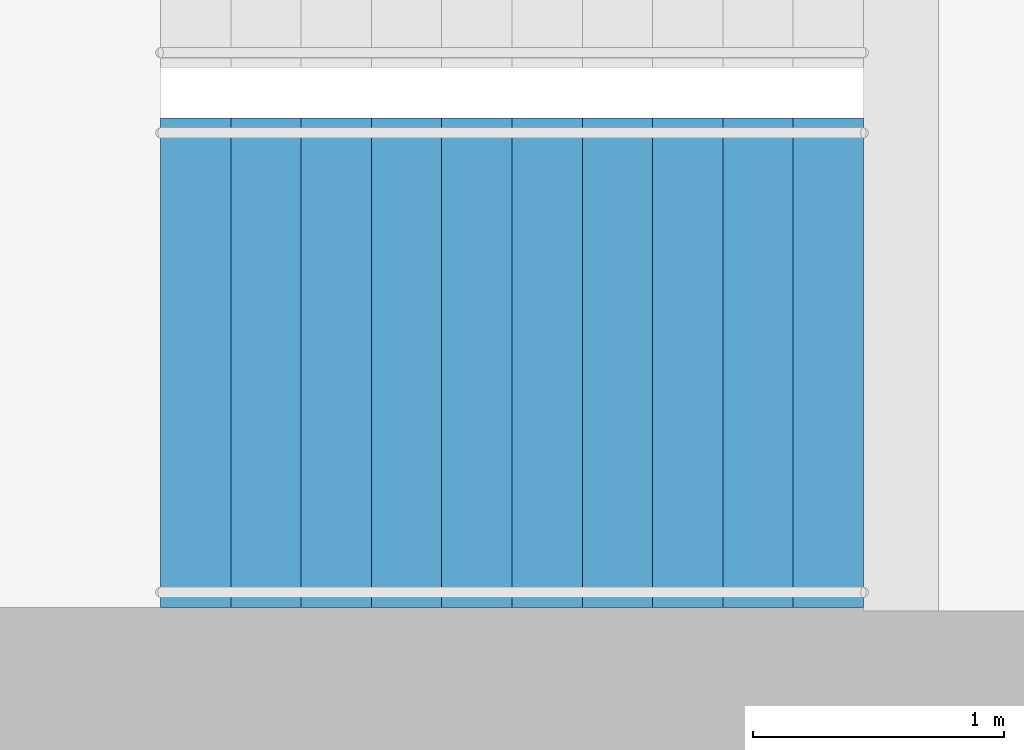
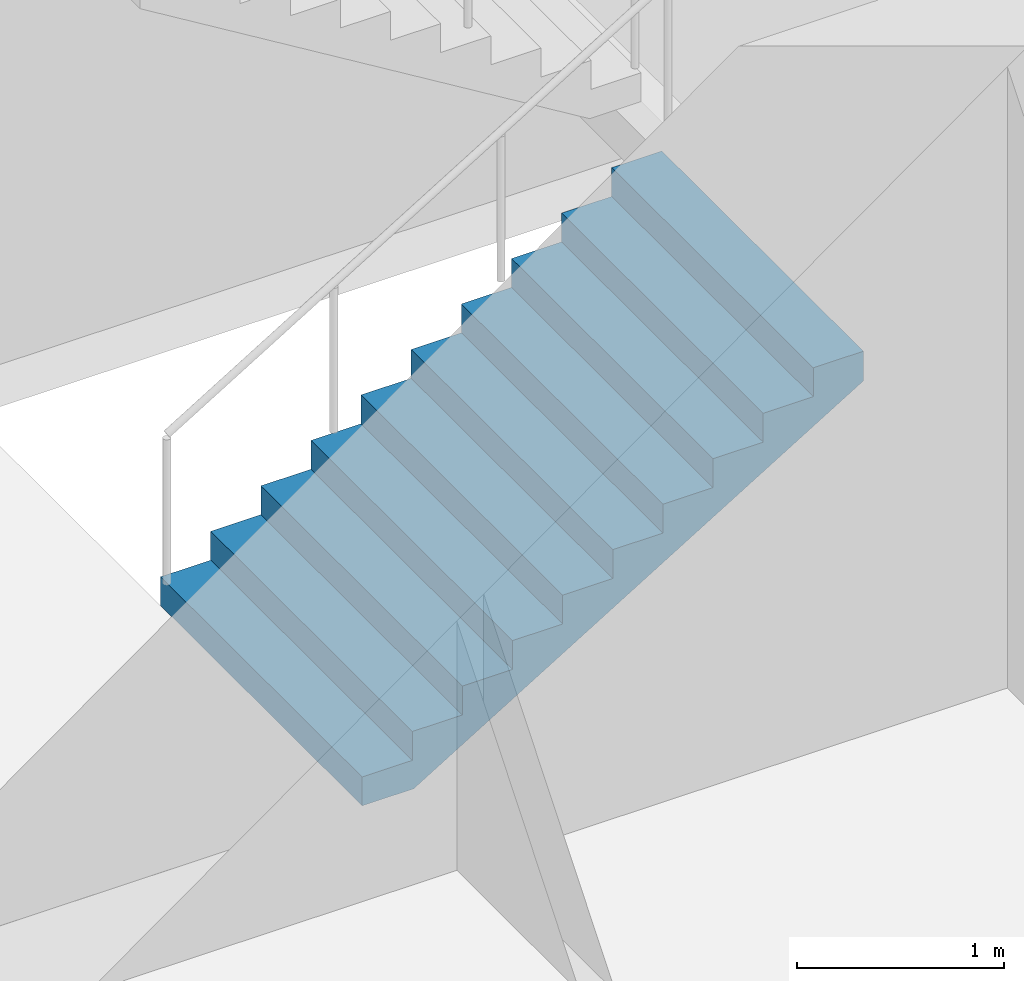
# One storey, part 20 of 24: 1 stair flight, 1 element without a shape of its own.
"""IFC4 building model written with IfcOpenShell, lengths in metres."""

from ifc_helpers import new_model, si_unit, direction, frame, origin, place, context, subcontext, project, spatial, triangles, material, type_object, element, aggregate, save


model = new_model("IFC4")

# Units and contexts
model_context = context("Model", 3, precision=1e-05, world=origin(), true_north=direction((0.0, 1.0)))
body_context = subcontext(model_context, "Body", "Model", "MODEL_VIEW")
ifc_project = project(units=[si_unit("LENGTHUNIT", "METRE"), si_unit("AREAUNIT", "SQUARE_METRE"), si_unit("VOLUMEUNIT", "CUBIC_METRE"), si_unit("PLANEANGLEUNIT", "RADIAN"), si_unit("MASSUNIT", "GRAM", prefix="KILO")], contexts=[model_context])

# Site, building, storey
site_placement = place(None, origin())
site = spatial("IfcSite", under=ifc_project, at=site_placement, CompositionType="ELEMENT")
building_placement = place(site_placement, origin())
building = spatial("IfcBuilding", under=site, at=building_placement, Name="Orbita Commons", CompositionType="ELEMENT")
storey_placement = place(building_placement, frame((0.0, 0.0, 242.800048828125)))
storey = spatial("IfcBuildingStorey", under=building, at=storey_placement, Name="L60", CompositionType="ELEMENT", Elevation=242.800048828125)

# Stair, stair flight
ifc_material_1 = material(Name="Precast concrete C40/50", Category="concrete")
stair_type = type_object("IfcStairType", Name="Exit stair S1 2 flights 11 risers 170", PredefinedType="HALF_TURN_STAIR", material=ifc_material_1)
stair_placement = place(storey_placement, origin())
stair = element("IfcStair", 1, at=stair_placement, inside=storey, type_object=stair_type, Name="Exit stair S1 L60", PredefinedType="HALF_TURN_STAIR")
ifc_material_2 = material(Name="Precast concrete C40/50", Category="concrete")
stair_flight_type = type_object("IfcStairFlightType", Name="Stair flight 11 risers 170 x 280", PredefinedType="STRAIGHT", material=ifc_material_2)
stair_flight_placement = place(storey_placement, frame((20.449951171875, 27.125, 0.0), z_axis=(0.0, 0.0, 1.0), x_axis=(1.0, 0.0, 0.0)))
stair_flight = element("IfcStairFlight", 2, at=stair_flight_placement, type_object=stair_flight_type, Name="S1 flight 1", NumberOfRisers=11, NumberOfTreads=10, PredefinedType="STRAIGHT", RiserHeight=0.170454545, TreadLength=0.28, context=body_context, shape_type="Tessellation", body=[
    triangles([(0.0, 0.974976, 0.0), (0.0, 0.974976, 0.021307), (0.0, 0.81248, 0.021307), (0.0, 0.81248, 0.0), (0.0, 0.649984, 0.021307), (0.0, 0.649984, 0.0), (0.0, 0.487488, 0.021307), (0.0, 0.487488, 0.0), (0.0, 0.324992, 0.021307), (0.0, 0.324992, 0.0), (0.0, 0.162496, 0.021307), (0.0, 0.162496, 0.0), (0.0, 0.0, 0.021307), (0.0, 0.0, 0.0), (0.0, -0.162496, 0.021307), (0.0, -0.162496, 0.0), (0.0, -0.324992, 0.021307), (0.0, -0.324992, 0.0), (0.0, -0.487488, 0.021307), (0.0, -0.487488, 0.0), (0.0, -0.649984, 0.021307), (0.0, -0.649984, 0.0), (0.0, -0.81248, 0.021307), (0.0, -0.81248, 0.0), (0.0, -0.974976, 0.021307), (0.0, -0.974976, 0.0), (0.0, 0.974976, 0.042614), (0.0, 0.81248, 0.042614), (0.0, 0.649984, 0.042614), (0.0, 0.487488, 0.042614), (0.0, 0.324992, 0.042614), (0.0, 0.162496, 0.042614), (0.0, 0.0, 0.042614), (0.0, -0.162496, 0.042614), (0.0, -0.324992, 0.042614), (0.0, -0.487488, 0.042614), (0.0, -0.649984, 0.042614), (0.0, -0.81248, 0.042614), (0.0, -0.974976, 0.042614), (0.0, 0.974976, 0.06392), (0.0, 0.81248, 0.06392), (0.0, 0.649984, 0.06392), (0.0, 0.487488, 0.06392), (0.0, 0.324992, 0.06392), (0.0, 0.162496, 0.06392), (0.0, 0.0, 0.06392), (0.0, -0.162496, 0.06392), (0.0, -0.324992, 0.06392), (0.0, -0.487488, 0.06392), (0.0, -0.649984, 0.06392), (0.0, -0.81248, 0.06392), (0.0, -0.974976, 0.06392), (0.0, 0.974976, 0.085227), (0.0, 0.81248, 0.085227), (0.0, 0.649984, 0.085227), (0.0, 0.487488, 0.085227), (0.0, 0.324992, 0.085227), (0.0, 0.162496, 0.085227), (0.0, 0.0, 0.085227), (0.0, -0.162496, 0.085227), (0.0, -0.324992, 0.085227), (0.0, -0.487488, 0.085227), (0.0, -0.649984, 0.085227), (0.0, -0.81248, 0.085227), (0.0, -0.974976, 0.085227), (0.0, 0.974976, 0.106534), (0.0, 0.81248, 0.106534), (0.0, 0.649984, 0.106534), (0.0, 0.487488, 0.106534), (0.0, 0.324992, 0.106534), (0.0, 0.162496, 0.106534), (0.0, 0.0, 0.106534), (0.0, -0.162496, 0.106534), (0.0, -0.324992, 0.106534), (0.0, -0.487488, 0.106534), (0.0, -0.649984, 0.106534), (0.0, -0.81248, 0.106534), (0.0, -0.974976, 0.106534), (0.0, 0.974976, 0.127841), (0.0, 0.81248, 0.127841), (0.0, 0.649984, 0.127841), (0.0, 0.487488, 0.127841), (0.0, 0.324992, 0.127841), (0.0, 0.162496, 0.127841), (0.0, 0.0, 0.127841), (0.0, -0.162496, 0.127841), (0.0, -0.324992, 0.127841), (0.0, -0.487488, 0.127841), (0.0, -0.649984, 0.127841), (0.0, -0.81248, 0.127841), (0.0, -0.974976, 0.127841), (0.0, 0.974976, 0.149148), (0.0, 0.81248, 0.149148), (0.0, 0.649984, 0.149148), (0.0, 0.487488, 0.149148), (0.0, 0.324992, 0.149148), (0.0, 0.162496, 0.149148), (0.0, 0.0, 0.149148), (0.0, -0.162496, 0.149148), (0.0, -0.324992, 0.149148), (0.0, -0.487488, 0.149148), (0.0, -0.649984, 0.149148), (0.0, -0.81248, 0.149148), (0.0, -0.974976, 0.149148), (0.0, 0.974976, 0.170455), (0.0, 0.81248, 0.170455), (0.0, 0.649984, 0.170455), (0.0, 0.487488, 0.170455), (0.0, 0.324992, 0.170455), (0.0, 0.162496, 0.170455), (0.0, 0.0, 0.170455), (0.0, -0.162496, 0.170455), (0.0, -0.324992, 0.170455), (0.0, -0.487488, 0.170455), (0.0, -0.649984, 0.170455), (0.0, -0.81248, 0.170455), (0.0, -0.974976, 0.170455), (0.28, 0.974976, 0.170455), (0.28, 0.81248, 0.170455), (0.28, 0.649984, 0.170455), (0.28, 0.487488, 0.170455), (0.28, 0.324992, 0.170455), (0.28, 0.162496, 0.170455), (0.28, 0.0, 0.170455), (0.28, -0.162496, 0.170455), (0.28, -0.324992, 0.170455), (0.28, -0.487488, 0.170455), (0.28, -0.649984, 0.170455), (0.28, -0.81248, 0.170455), (0.28, -0.974976, 0.170455), (0.28, 0.974976, 0.340909), (0.28, 0.81248, 0.340909), (0.28, 0.649984, 0.340909), (0.28, 0.487488, 0.340909), (0.28, 0.324992, 0.340909), (0.28, 0.162496, 0.340909), (0.28, 0.0, 0.340909), (0.28, -0.162496, 0.340909), (0.28, -0.324992, 0.340909), (0.28, -0.487488, 0.340909), (0.28, -0.649984, 0.340909), (0.28, -0.81248, 0.340909), (0.28, -0.974976, 0.340909), (0.56, 0.974976, 0.340909), (0.56, 0.81248, 0.340909), (0.56, 0.649984, 0.340909), (0.56, 0.487488, 0.340909), (0.56, 0.324992, 0.340909), (0.56, 0.162496, 0.340909), (0.56, 0.0, 0.340909), (0.56, -0.162496, 0.340909), (0.56, -0.324992, 0.340909), (0.56, -0.487488, 0.340909), (0.56, -0.649984, 0.340909), (0.56, -0.81248, 0.340909), (0.56, -0.974976, 0.340909), (0.56, 0.974976, 0.511364), (0.56, 0.81248, 0.511364), (0.56, 0.649984, 0.511364), (0.56, 0.487488, 0.511364), (0.56, 0.324992, 0.511364), (0.56, 0.162496, 0.511364), (0.56, 0.0, 0.511364), (0.56, -0.162496, 0.511364), (0.56, -0.324992, 0.511364), (0.56, -0.487488, 0.511364), (0.56, -0.649984, 0.511364), (0.56, -0.81248, 0.511364), (0.56, -0.974976, 0.511364), (0.84, 0.974976, 0.511364), (0.84, 0.81248, 0.511364), (0.84, 0.649984, 0.511364), (0.84, 0.487488, 0.511364), (0.84, 0.324992, 0.511364), (0.84, 0.162496, 0.511364), (0.84, 0.0, 0.511364), (0.84, -0.162496, 0.511364), (0.84, -0.324992, 0.511364), (0.84, -0.487488, 0.511364), (0.84, -0.649984, 0.511364), (0.84, -0.81248, 0.511364), (0.84, -0.974976, 0.511364), (0.84, 0.974976, 0.681818), (0.84, 0.81248, 0.681818), (0.84, 0.649984, 0.681818), (0.84, 0.487488, 0.681818), (0.84, 0.324992, 0.681818), (0.84, 0.162496, 0.681818), (0.84, 0.0, 0.681818), (0.84, -0.162496, 0.681818), (0.84, -0.324992, 0.681818), (0.84, -0.487488, 0.681818), (0.84, -0.649984, 0.681818), (0.84, -0.81248, 0.681818), (0.84, -0.974976, 0.681818), (1.12, 0.974976, 0.681818), (1.12, 0.81248, 0.681818), (1.12, 0.649984, 0.681818), (1.12, 0.487488, 0.681818), (1.12, 0.324992, 0.681818), (1.12, 0.162496, 0.681818), (1.12, 0.0, 0.681818), (1.12, -0.162496, 0.681818), (1.12, -0.324992, 0.681818), (1.12, -0.487488, 0.681818), (1.12, -0.649984, 0.681818), (1.12, -0.81248, 0.681818), (1.12, -0.974976, 0.681818), (1.12, 0.974976, 0.852273), (1.12, 0.81248, 0.852273), (1.12, 0.649984, 0.852273), (1.12, 0.487488, 0.852273), (1.12, 0.324992, 0.852273), (1.12, 0.162496, 0.852273), (1.12, 0.0, 0.852273), (1.12, -0.162496, 0.852273), (1.12, -0.324992, 0.852273), (1.12, -0.487488, 0.852273), (1.12, -0.649984, 0.852273), (1.12, -0.81248, 0.852273), (1.12, -0.974976, 0.852273), (1.4, 0.974976, 0.852273), (1.4, 0.81248, 0.852273), (1.4, 0.649984, 0.852273), (1.4, 0.487488, 0.852273), (1.4, 0.324992, 0.852273), (1.4, 0.162496, 0.852273), (1.4, 0.0, 0.852273), (1.4, -0.162496, 0.852273), (1.4, -0.324992, 0.852273), (1.4, -0.487488, 0.852273), (1.4, -0.649984, 0.852273), (1.4, -0.81248, 0.852273), (1.4, -0.974976, 0.852273), (1.4, 0.974976, 1.022727), (1.4, 0.81248, 1.022727), (1.4, 0.649984, 1.022727), (1.4, 0.487488, 1.022727), (1.4, 0.324992, 1.022727), (1.4, 0.162496, 1.022727), (1.4, 0.0, 1.022727), (1.4, -0.162496, 1.022727), (1.4, -0.324992, 1.022727), (1.4, -0.487488, 1.022727), (1.4, -0.649984, 1.022727), (1.4, -0.81248, 1.022727), (1.4, -0.974976, 1.022727), (1.68, 0.974976, 1.022727), (1.68, 0.81248, 1.022727), (1.68, 0.649984, 1.022727), (1.68, 0.487488, 1.022727), (1.68, 0.324992, 1.022727), (1.68, 0.162496, 1.022727), (1.68, 0.0, 1.022727), (1.68, -0.162496, 1.022727), (1.68, -0.324992, 1.022727), (1.68, -0.487488, 1.022727), (1.68, -0.649984, 1.022727), (1.68, -0.81248, 1.022727), (1.68, -0.974976, 1.022727), (1.68, 0.974976, 1.193182), (1.68, 0.81248, 1.193182), (1.68, 0.649984, 1.193182), (1.68, 0.487488, 1.193182), (1.68, 0.324992, 1.193182), (1.68, 0.162496, 1.193182), (1.68, 0.0, 1.193182), (1.68, -0.162496, 1.193182), (1.68, -0.324992, 1.193182), (1.68, -0.487488, 1.193182), (1.68, -0.649984, 1.193182), (1.68, -0.81248, 1.193182), (1.68, -0.974976, 1.193182), (1.96, 0.974976, 1.193182), (1.96, 0.81248, 1.193182), (1.96, 0.649984, 1.193182), (1.96, 0.487488, 1.193182), (1.96, 0.324992, 1.193182), (1.96, 0.162496, 1.193182), (1.96, 0.0, 1.193182), (1.96, -0.162496, 1.193182), (1.96, -0.324992, 1.193182), (1.96, -0.487488, 1.193182), (1.96, -0.649984, 1.193182), (1.96, -0.81248, 1.193182), (1.96, -0.974976, 1.193182), (1.96, 0.974976, 1.363636), (1.96, 0.81248, 1.363636), (1.96, 0.649984, 1.363636), (1.96, 0.487488, 1.363636), (1.96, 0.324992, 1.363636), (1.96, 0.162496, 1.363636), (1.96, 0.0, 1.363636), (1.96, -0.162496, 1.363636), (1.96, -0.324992, 1.363636), (1.96, -0.487488, 1.363636), (1.96, -0.649984, 1.363636), (1.96, -0.81248, 1.363636), (1.96, -0.974976, 1.363636), (2.24, 0.974976, 1.363636), (2.24, 0.81248, 1.363636), (2.24, 0.649984, 1.363636), (2.24, 0.487488, 1.363636), (2.24, 0.324992, 1.363636), (2.24, 0.162496, 1.363636), (2.24, 0.0, 1.363636), (2.24, -0.162496, 1.363636), (2.24, -0.324992, 1.363636), (2.24, -0.487488, 1.363636), (2.24, -0.649984, 1.363636), (2.24, -0.81248, 1.363636), (2.24, -0.974976, 1.363636), (2.24, 0.974976, 1.534091), (2.24, 0.81248, 1.534091), (2.24, 0.649984, 1.534091), (2.24, 0.487488, 1.534091), (2.24, 0.324992, 1.534091), (2.24, 0.162496, 1.534091), (2.24, 0.0, 1.534091), (2.24, -0.162496, 1.534091), (2.24, -0.324992, 1.534091), (2.24, -0.487488, 1.534091), (2.24, -0.649984, 1.534091), (2.24, -0.81248, 1.534091), (2.24, -0.974976, 1.534091), (2.52, 0.974976, 1.534091), (2.52, 0.81248, 1.534091), (2.52, 0.649984, 1.534091), (2.52, 0.487488, 1.534091), (2.52, 0.324992, 1.534091), (2.52, 0.162496, 1.534091), (2.52, 0.0, 1.534091), (2.52, -0.162496, 1.534091), (2.52, -0.324992, 1.534091), (2.52, -0.487488, 1.534091), (2.52, -0.649984, 1.534091), (2.52, -0.81248, 1.534091), (2.52, -0.974976, 1.534091), (2.52, 0.974976, 1.704545), (2.52, 0.81248, 1.704545), (2.52, 0.649984, 1.704545), (2.52, 0.487488, 1.704545), (2.52, 0.324992, 1.704545), (2.52, 0.162496, 1.704545), (2.52, 0.0, 1.704545), (2.52, -0.162496, 1.704545), (2.52, -0.324992, 1.704545), (2.52, -0.487488, 1.704545), (2.52, -0.649984, 1.704545), (2.52, -0.81248, 1.704545), (2.52, -0.974976, 1.704545), (2.8, 0.974976, 1.704545), (2.8, 0.81248, 1.704545), (2.8, 0.649984, 1.704545), (2.8, 0.487488, 1.704545), (2.8, 0.324992, 1.704545), (2.8, 0.162496, 1.704545), (2.8, 0.0, 1.704545), (2.8, -0.162496, 1.704545), (2.8, -0.324992, 1.704545), (2.8, -0.487488, 1.704545), (2.8, -0.649984, 1.704545), (2.8, -0.81248, 1.704545), (2.8, -0.974976, 1.704545), (2.8, 0.974976, 1.682609), (2.8, 0.81248, 1.682609), (2.8, 0.649984, 1.682609), (2.8, 0.487488, 1.682609), (2.8, 0.324992, 1.682609), (2.8, 0.162496, 1.682609), (2.8, 0.0, 1.682609), (2.8, -0.162496, 1.682609), (2.8, -0.324992, 1.682609), (2.8, -0.487488, 1.682609), (2.8, -0.649984, 1.682609), (2.8, -0.81248, 1.682609), (2.8, -0.974976, 1.682609), (2.8, 0.974976, 1.660672), (2.8, 0.81248, 1.660672), (2.8, 0.649984, 1.660672), (2.8, 0.487488, 1.660672), (2.8, 0.324992, 1.660672), (2.8, 0.162496, 1.660672), (2.8, 0.0, 1.660672), (2.8, -0.162496, 1.660672), (2.8, -0.324992, 1.660672), (2.8, -0.487488, 1.660672), (2.8, -0.649984, 1.660672), (2.8, -0.81248, 1.660672), (2.8, -0.974976, 1.660672), (2.8, 0.974976, 1.638735), (2.8, 0.81248, 1.638735), (2.8, 0.649984, 1.638735), (2.8, 0.487488, 1.638735), (2.8, 0.324992, 1.638735), (2.8, 0.162496, 1.638735), (2.8, 0.0, 1.638735), (2.8, -0.162496, 1.638735), (2.8, -0.324992, 1.638735), (2.8, -0.487488, 1.638735), (2.8, -0.649984, 1.638735), (2.8, -0.81248, 1.638735), (2.8, -0.974976, 1.638735), (2.8, 0.974976, 1.616798), (2.8, 0.81248, 1.616798), (2.8, 0.649984, 1.616798), (2.8, 0.487488, 1.616798), (2.8, 0.324992, 1.616798), (2.8, 0.162496, 1.616798), (2.8, 0.0, 1.616798), (2.8, -0.162496, 1.616798), (2.8, -0.324992, 1.616798), (2.8, -0.487488, 1.616798), (2.8, -0.649984, 1.616798), (2.8, -0.81248, 1.616798), (2.8, -0.974976, 1.616798), (2.8, 0.974976, 1.594861), (2.8, 0.81248, 1.594861), (2.8, 0.649984, 1.594861), (2.8, 0.487488, 1.594861), (2.8, 0.324992, 1.594861), (2.8, 0.162496, 1.594861), (2.8, 0.0, 1.594861), (2.8, -0.162496, 1.594861), (2.8, -0.324992, 1.594861), (2.8, -0.487488, 1.594861), (2.8, -0.649984, 1.594861), (2.8, -0.81248, 1.594861), (2.8, -0.974976, 1.594861), (2.8, 0.974976, 1.572925), (2.8, 0.81248, 1.572925), (2.8, 0.649984, 1.572925), (2.8, 0.487488, 1.572925), (2.8, 0.324992, 1.572925), (2.8, 0.162496, 1.572925), (2.8, 0.0, 1.572925), (2.8, -0.162496, 1.572925), (2.8, -0.324992, 1.572925), (2.8, -0.487488, 1.572925), (2.8, -0.649984, 1.572925), (2.8, -0.81248, 1.572925), (2.8, -0.974976, 1.572925), (2.8, 0.974976, 1.550988), (2.8, 0.81248, 1.550988), (2.8, 0.649984, 1.550988), (2.8, 0.487488, 1.550988), (2.8, 0.324992, 1.550988), (2.8, 0.162496, 1.550988), (2.8, 0.0, 1.550988), (2.8, -0.162496, 1.550988), (2.8, -0.324992, 1.550988), (2.8, -0.487488, 1.550988), (2.8, -0.649984, 1.550988), (2.8, -0.81248, 1.550988), (2.8, -0.974976, 1.550988), (2.8, 0.974976, 1.529051), (2.8, 0.81248, 1.529051), (2.8, 0.649984, 1.529051), (2.8, 0.487488, 1.529051), (2.8, 0.324992, 1.529051), (2.8, 0.162496, 1.529051), (2.8, 0.0, 1.529051), (2.8, -0.162496, 1.529051), (2.8, -0.324992, 1.529051), (2.8, -0.487488, 1.529051), (2.8, -0.649984, 1.529051), (2.8, -0.81248, 1.529051), (2.8, -0.974976, 1.529051), (0.288279, 0.974976, 0.0), (0.288279, 0.81248, 0.0), (0.288279, 0.649984, 0.0), (0.288279, 0.487488, 0.0), (0.288279, 0.324992, 0.0), (0.288279, 0.162496, 0.0), (0.288279, 0.0, 0.0), (0.288279, -0.162496, 0.0), (0.288279, -0.324992, 0.0), (0.288279, -0.487488, 0.0), (0.288279, -0.649984, 0.0), (0.288279, -0.81248, 0.0), (0.288279, -0.974976, 0.0)], [[3, 2, 1], [4, 3, 1], [5, 3, 4], [6, 5, 4], [7, 5, 6], [8, 7, 6], [9, 7, 8], [10, 9, 8], [11, 9, 10], [12, 11, 10], [13, 11, 12], [14, 13, 12], [15, 13, 14], [16, 15, 14], [17, 15, 16], [18, 17, 16], [19, 17, 18], [20, 19, 18], [21, 19, 20], [22, 21, 20], [23, 21, 22], [24, 23, 22], [25, 23, 24], [26, 25, 24], [28, 27, 2], [3, 28, 2], [29, 28, 3], [5, 29, 3], [30, 29, 5], [7, 30, 5], [31, 30, 7], [9, 31, 7], [32, 31, 9], [11, 32, 9], [33, 32, 11], [13, 33, 11], [34, 33, 13], [15, 34, 13], [35, 34, 15], [17, 35, 15], [36, 35, 17], [19, 36, 17], [37, 36, 19], [21, 37, 19], [38, 37, 21], [23, 38, 21], [39, 38, 23], [25, 39, 23], [41, 40, 27], [28, 41, 27], [42, 41, 28], [29, 42, 28], [43, 42, 29], [30, 43, 29], [44, 43, 30], [31, 44, 30], [45, 44, 31], [32, 45, 31], [46, 45, 32], [33, 46, 32], [47, 46, 33], [34, 47, 33], [48, 47, 34], [35, 48, 34], [49, 48, 35], [36, 49, 35], [50, 49, 36], [37, 50, 36], [51, 50, 37], [38, 51, 37], [52, 51, 38], [39, 52, 38], [54, 53, 40], [41, 54, 40], [55, 54, 41], [42, 55, 41], [56, 55, 42], [43, 56, 42], [57, 56, 43], [44, 57, 43], [58, 57, 44], [45, 58, 44], [59, 58, 45], [46, 59, 45], [60, 59, 46], [47, 60, 46], [61, 60, 47], [48, 61, 47], [62, 61, 48], [49, 62, 48], [63, 62, 49], [50, 63, 49], [64, 63, 50], [51, 64, 50], [65, 64, 51], [52, 65, 51], [67, 66, 53], [54, 67, 53], [68, 67, 54], [55, 68, 54], [69, 68, 55], [56, 69, 55], [70, 69, 56], [57, 70, 56], [71, 70, 57], [58, 71, 57], [72, 71, 58], [59, 72, 58], [73, 72, 59], [60, 73, 59], [74, 73, 60], [61, 74, 60], [75, 74, 61], [62, 75, 61], [76, 75, 62], [63, 76, 62], [77, 76, 63], [64, 77, 63], [78, 77, 64], [65, 78, 64], [80, 79, 66], [67, 80, 66], [81, 80, 67], [68, 81, 67], [82, 81, 68], [69, 82, 68], [83, 82, 69], [70, 83, 69], [84, 83, 70], [71, 84, 70], [85, 84, 71], [72, 85, 71], [86, 85, 72], [73, 86, 72], [87, 86, 73], [74, 87, 73], [88, 87, 74], [75, 88, 74], [89, 88, 75], [76, 89, 75], [90, 89, 76], [77, 90, 76], [91, 90, 77], [78, 91, 77], [93, 92, 79], [80, 93, 79], [94, 93, 80], [81, 94, 80], [95, 94, 81], [82, 95, 81], [96, 95, 82], [83, 96, 82], [97, 96, 83], [84, 97, 83], [98, 97, 84], [85, 98, 84], [99, 98, 85], [86, 99, 85], [100, 99, 86], [87, 100, 86], [101, 100, 87], [88, 101, 87], [102, 101, 88], [89, 102, 88], [103, 102, 89], [90, 103, 89], [104, 103, 90], [91, 104, 90], [106, 105, 92], [93, 106, 92], [107, 106, 93], [94, 107, 93], [108, 107, 94], [95, 108, 94], [109, 108, 95], [96, 109, 95], [110, 109, 96], [97, 110, 96], [111, 110, 97], [98, 111, 97], [112, 111, 98], [99, 112, 98], [113, 112, 99], [100, 113, 99], [114, 113, 100], [101, 114, 100], [115, 114, 101], [102, 115, 101], [116, 115, 102], [103, 116, 102], [117, 116, 103], [104, 117, 103], [119, 118, 105], [106, 119, 105], [120, 119, 106], [107, 120, 106], [121, 120, 107], [108, 121, 107], [122, 121, 108], [109, 122, 108], [123, 122, 109], [110, 123, 109], [124, 123, 110], [111, 124, 110], [125, 124, 111], [112, 125, 111], [126, 125, 112], [113, 126, 112], [127, 126, 113], [114, 127, 113], [128, 127, 114], [115, 128, 114], [129, 128, 115], [116, 129, 115], [130, 129, 116], [117, 130, 116], [132, 131, 118], [119, 132, 118], [133, 132, 119], [120, 133, 119], [134, 133, 120], [121, 134, 120], [135, 134, 121], [122, 135, 121], [136, 135, 122], [123, 136, 122], [137, 136, 123], [124, 137, 123], [138, 137, 124], [125, 138, 124], [139, 138, 125], [126, 139, 125], [140, 139, 126], [127, 140, 126], [141, 140, 127], [128, 141, 127], [142, 141, 128], [129, 142, 128], [143, 142, 129], [130, 143, 129], [145, 144, 131], [132, 145, 131], [146, 145, 132], [133, 146, 132], [147, 146, 133], [134, 147, 133], [148, 147, 134], [135, 148, 134], [149, 148, 135], [136, 149, 135], [150, 149, 136], [137, 150, 136], [151, 150, 137], [138, 151, 137], [152, 151, 138], [139, 152, 138], [153, 152, 139], [140, 153, 139], [154, 153, 140], [141, 154, 140], [155, 154, 141], [142, 155, 141], [156, 155, 142], [143, 156, 142], [158, 157, 144], [145, 158, 144], [159, 158, 145], [146, 159, 145], [160, 159, 146], [147, 160, 146], [161, 160, 147], [148, 161, 147], [162, 161, 148], [149, 162, 148], [163, 162, 149], [150, 163, 149], [164, 163, 150], [151, 164, 150], [165, 164, 151], [152, 165, 151], [166, 165, 152], [153, 166, 152], [167, 166, 153], [154, 167, 153], [168, 167, 154], [155, 168, 154], [169, 168, 155], [156, 169, 155], [171, 170, 157], [158, 171, 157], [172, 171, 158], [159, 172, 158], [173, 172, 159], [160, 173, 159], [174, 173, 160], [161, 174, 160], [175, 174, 161], [162, 175, 161], [176, 175, 162], [163, 176, 162], [177, 176, 163], [164, 177, 163], [178, 177, 164], [165, 178, 164], [179, 178, 165], [166, 179, 165], [180, 179, 166], [167, 180, 166], [181, 180, 167], [168, 181, 167], [182, 181, 168], [169, 182, 168], [184, 183, 170], [171, 184, 170], [185, 184, 171], [172, 185, 171], [186, 185, 172], [173, 186, 172], [187, 186, 173], [174, 187, 173], [188, 187, 174], [175, 188, 174], [189, 188, 175], [176, 189, 175], [190, 189, 176], [177, 190, 176], [191, 190, 177], [178, 191, 177], [192, 191, 178], [179, 192, 178], [193, 192, 179], [180, 193, 179], [194, 193, 180], [181, 194, 180], [195, 194, 181], [182, 195, 181], [197, 196, 183], [184, 197, 183], [198, 197, 184], [185, 198, 184], [199, 198, 185], [186, 199, 185], [200, 199, 186], [187, 200, 186], [201, 200, 187], [188, 201, 187], [202, 201, 188], [189, 202, 188], [203, 202, 189], [190, 203, 189], [204, 203, 190], [191, 204, 190], [205, 204, 191], [192, 205, 191], [206, 205, 192], [193, 206, 192], [207, 206, 193], [194, 207, 193], [208, 207, 194], [195, 208, 194], [210, 209, 196], [197, 210, 196], [211, 210, 197], [198, 211, 197], [212, 211, 198], [199, 212, 198], [213, 212, 199], [200, 213, 199], [214, 213, 200], [201, 214, 200], [215, 214, 201], [202, 215, 201], [216, 215, 202], [203, 216, 202], [217, 216, 203], [204, 217, 203], [218, 217, 204], [205, 218, 204], [219, 218, 205], [206, 219, 205], [220, 219, 206], [207, 220, 206], [221, 220, 207], [208, 221, 207], [223, 222, 209], [210, 223, 209], [224, 223, 210], [211, 224, 210], [225, 224, 211], [212, 225, 211], [226, 225, 212], [213, 226, 212], [227, 226, 213], [214, 227, 213], [228, 227, 214], [215, 228, 214], [229, 228, 215], [216, 229, 215], [230, 229, 216], [217, 230, 216], [231, 230, 217], [218, 231, 217], [232, 231, 218], [219, 232, 218], [233, 232, 219], [220, 233, 219], [234, 233, 220], [221, 234, 220], [236, 235, 222], [223, 236, 222], [237, 236, 223], [224, 237, 223], [238, 237, 224], [225, 238, 224], [239, 238, 225], [226, 239, 225], [240, 239, 226], [227, 240, 226], [241, 240, 227], [228, 241, 227], [242, 241, 228], [229, 242, 228], [243, 242, 229], [230, 243, 229], [244, 243, 230], [231, 244, 230], [245, 244, 231], [232, 245, 231], [246, 245, 232], [233, 246, 232], [247, 246, 233], [234, 247, 233], [249, 248, 235], [236, 249, 235], [250, 249, 236], [237, 250, 236], [251, 250, 237], [238, 251, 237], [252, 251, 238], [239, 252, 238], [253, 252, 239], [240, 253, 239], [254, 253, 240], [241, 254, 240], [255, 254, 241], [242, 255, 241], [256, 255, 242], [243, 256, 242], [257, 256, 243], [244, 257, 243], [258, 257, 244], [245, 258, 244], [259, 258, 245], [246, 259, 245], [260, 259, 246], [247, 260, 246], [262, 261, 248], [249, 262, 248], [263, 262, 249], [250, 263, 249], [264, 263, 250], [251, 264, 250], [265, 264, 251], [252, 265, 251], [266, 265, 252], [253, 266, 252], [267, 266, 253], [254, 267, 253], [268, 267, 254], [255, 268, 254], [269, 268, 255], [256, 269, 255], [270, 269, 256], [257, 270, 256], [271, 270, 257], [258, 271, 257], [272, 271, 258], [259, 272, 258], [273, 272, 259], [260, 273, 259], [275, 274, 261], [262, 275, 261], [276, 275, 262], [263, 276, 262], [277, 276, 263], [264, 277, 263], [278, 277, 264], [265, 278, 264], [279, 278, 265], [266, 279, 265], [280, 279, 266], [267, 280, 266], [281, 280, 267], [268, 281, 267], [282, 281, 268], [269, 282, 268], [283, 282, 269], [270, 283, 269], [284, 283, 270], [271, 284, 270], [285, 284, 271], [272, 285, 271], [286, 285, 272], [273, 286, 272], [288, 287, 274], [275, 288, 274], [289, 288, 275], [276, 289, 275], [290, 289, 276], [277, 290, 276], [291, 290, 277], [278, 291, 277], [292, 291, 278], [279, 292, 278], [293, 292, 279], [280, 293, 279], [294, 293, 280], [281, 294, 280], [295, 294, 281], [282, 295, 281], [296, 295, 282], [283, 296, 282], [297, 296, 283], [284, 297, 283], [298, 297, 284], [285, 298, 284], [299, 298, 285], [286, 299, 285], [301, 300, 287], [288, 301, 287], [302, 301, 288], [289, 302, 288], [303, 302, 289], [290, 303, 289], [304, 303, 290], [291, 304, 290], [305, 304, 291], [292, 305, 291], [306, 305, 292], [293, 306, 292], [307, 306, 293], [294, 307, 293], [308, 307, 294], [295, 308, 294], [309, 308, 295], [296, 309, 295], [310, 309, 296], [297, 310, 296], [311, 310, 297], [298, 311, 297], [312, 311, 298], [299, 312, 298], [314, 313, 300], [301, 314, 300], [315, 314, 301], [302, 315, 301], [316, 315, 302], [303, 316, 302], [317, 316, 303], [304, 317, 303], [318, 317, 304], [305, 318, 304], [319, 318, 305], [306, 319, 305], [320, 319, 306], [307, 320, 306], [321, 320, 307], [308, 321, 307], [322, 321, 308], [309, 322, 308], [323, 322, 309], [310, 323, 309], [324, 323, 310], [311, 324, 310], [325, 324, 311], [312, 325, 311], [327, 326, 313], [314, 327, 313], [328, 327, 314], [315, 328, 314], [329, 328, 315], [316, 329, 315], [330, 329, 316], [317, 330, 316], [331, 330, 317], [318, 331, 317], [332, 331, 318], [319, 332, 318], [333, 332, 319], [320, 333, 319], [334, 333, 320], [321, 334, 320], [335, 334, 321], [322, 335, 321], [336, 335, 322], [323, 336, 322], [337, 336, 323], [324, 337, 323], [338, 337, 324], [325, 338, 324], [340, 339, 326], [327, 340, 326], [341, 340, 327], [328, 341, 327], [342, 341, 328], [329, 342, 328], [343, 342, 329], [330, 343, 329], [344, 343, 330], [331, 344, 330], [345, 344, 331], [332, 345, 331], [346, 345, 332], [333, 346, 332], [347, 346, 333], [334, 347, 333], [348, 347, 334], [335, 348, 334], [349, 348, 335], [336, 349, 335], [350, 349, 336], [337, 350, 336], [351, 350, 337], [338, 351, 337], [353, 352, 339], [340, 353, 339], [354, 353, 340], [341, 354, 340], [355, 354, 341], [342, 355, 341], [356, 355, 342], [343, 356, 342], [357, 356, 343], [344, 357, 343], [358, 357, 344], [345, 358, 344], [359, 358, 345], [346, 359, 345], [360, 359, 346], [347, 360, 346], [361, 360, 347], [348, 361, 347], [362, 361, 348], [349, 362, 348], [363, 362, 349], [350, 363, 349], [364, 363, 350], [351, 364, 350], [366, 365, 352], [353, 366, 352], [367, 366, 353], [354, 367, 353], [368, 367, 354], [355, 368, 354], [369, 368, 355], [356, 369, 355], [370, 369, 356], [357, 370, 356], [371, 370, 357], [358, 371, 357], [372, 371, 358], [359, 372, 358], [373, 372, 359], [360, 373, 359], [374, 373, 360], [361, 374, 360], [375, 374, 361], [362, 375, 361], [376, 375, 362], [363, 376, 362], [377, 376, 363], [364, 377, 363], [379, 378, 365], [366, 379, 365], [380, 379, 366], [367, 380, 366], [381, 380, 367], [368, 381, 367], [382, 381, 368], [369, 382, 368], [383, 382, 369], [370, 383, 369], [384, 383, 370], [371, 384, 370], [385, 384, 371], [372, 385, 371], [386, 385, 372], [373, 386, 372], [387, 386, 373], [374, 387, 373], [388, 387, 374], [375, 388, 374], [389, 388, 375], [376, 389, 375], [390, 389, 376], [377, 390, 376], [392, 391, 378], [379, 392, 378], [393, 392, 379], [380, 393, 379], [394, 393, 380], [381, 394, 380], [395, 394, 381], [382, 395, 381], [396, 395, 382], [383, 396, 382], [397, 396, 383], [384, 397, 383], [398, 397, 384], [385, 398, 384], [399, 398, 385], [386, 399, 385], [400, 399, 386], [387, 400, 386], [401, 400, 387], [388, 401, 387], [402, 401, 388], [389, 402, 388], [403, 402, 389], [390, 403, 389], [405, 404, 391], [392, 405, 391], [406, 405, 392], [393, 406, 392], [407, 406, 393], [394, 407, 393], [408, 407, 394], [395, 408, 394], [409, 408, 395], [396, 409, 395], [410, 409, 396], [397, 410, 396], [411, 410, 397], [398, 411, 397], [412, 411, 398], [399, 412, 398], [413, 412, 399], [400, 413, 399], [414, 413, 400], [401, 414, 400], [415, 414, 401], [402, 415, 401], [416, 415, 402], [403, 416, 402], [418, 417, 404], [405, 418, 404], [419, 418, 405], [406, 419, 405], [420, 419, 406], [407, 420, 406], [421, 420, 407], [408, 421, 407], [422, 421, 408], [409, 422, 408], [423, 422, 409], [410, 423, 409], [424, 423, 410], [411, 424, 410], [425, 424, 411], [412, 425, 411], [426, 425, 412], [413, 426, 412], [427, 426, 413], [414, 427, 413], [428, 427, 414], [415, 428, 414], [429, 428, 415], [416, 429, 415], [431, 430, 417], [418, 431, 417], [432, 431, 418], [419, 432, 418], [433, 432, 419], [420, 433, 419], [434, 433, 420], [421, 434, 420], [435, 434, 421], [422, 435, 421], [436, 435, 422], [423, 436, 422], [437, 436, 423], [424, 437, 423], [438, 437, 424], [425, 438, 424], [439, 438, 425], [426, 439, 425], [440, 439, 426], [427, 440, 426], [441, 440, 427], [428, 441, 427], [442, 441, 428], [429, 442, 428], [444, 443, 430], [431, 444, 430], [445, 444, 431], [432, 445, 431], [446, 445, 432], [433, 446, 432], [447, 446, 433], [434, 447, 433], [448, 447, 434], [435, 448, 434], [449, 448, 435], [436, 449, 435], [450, 449, 436], [437, 450, 436], [451, 450, 437], [438, 451, 437], [452, 451, 438], [439, 452, 438], [453, 452, 439], [440, 453, 439], [454, 453, 440], [441, 454, 440], [455, 454, 441], [442, 455, 441], [457, 456, 443], [444, 457, 443], [458, 457, 444], [445, 458, 444], [459, 458, 445], [446, 459, 445], [460, 459, 446], [447, 460, 446], [461, 460, 447], [448, 461, 447], [462, 461, 448], [449, 462, 448], [463, 462, 449], [450, 463, 449], [464, 463, 450], [451, 464, 450], [465, 464, 451], [452, 465, 451], [466, 465, 452], [453, 466, 452], [467, 466, 453], [454, 467, 453], [468, 467, 454], [455, 468, 454], [470, 469, 456], [457, 470, 456], [471, 470, 457], [458, 471, 457], [472, 471, 458], [459, 472, 458], [473, 472, 459], [460, 473, 459], [474, 473, 460], [461, 474, 460], [475, 474, 461], [462, 475, 461], [476, 475, 462], [463, 476, 462], [477, 476, 463], [464, 477, 463], [478, 477, 464], [465, 478, 464], [479, 478, 465], [466, 479, 465], [480, 479, 466], [467, 480, 466], [481, 480, 467], [468, 481, 467], [4, 1, 469], [470, 4, 469], [6, 4, 470], [471, 6, 470], [8, 6, 471], [472, 8, 471], [10, 8, 472], [473, 10, 472], [12, 10, 473], [474, 12, 473], [14, 12, 474], [475, 14, 474], [16, 14, 475], [476, 16, 475], [18, 16, 476], [477, 18, 476], [20, 18, 477], [478, 20, 477], [22, 20, 478], [479, 22, 478], [24, 22, 479], [480, 24, 479], [26, 24, 480], [481, 26, 480], [456, 469, 1], [26, 481, 468], [443, 456, 1], [26, 468, 455], [430, 443, 1], [26, 455, 442], [417, 430, 1], [26, 442, 429], [404, 417, 1], [26, 429, 416], [391, 404, 1], [26, 416, 403], [378, 391, 1], [26, 403, 390], [365, 378, 1], [26, 390, 377], [339, 352, 365], [377, 364, 351], [326, 339, 365], [377, 351, 338], [300, 313, 326], [338, 325, 312], [300, 326, 365], [377, 338, 312], [274, 287, 300], [312, 299, 286], [274, 300, 365], [377, 312, 286], [248, 261, 274], [286, 273, 260], [248, 274, 365], [377, 286, 260], [222, 235, 248], [260, 247, 234], [222, 248, 365], [377, 260, 234], [196, 209, 222], [234, 221, 208], [196, 222, 365], [377, 234, 208], [170, 183, 196], [208, 195, 182], [170, 196, 365], [377, 208, 182], [144, 157, 170], [182, 169, 156], [144, 170, 365], [377, 182, 156], [118, 131, 144], [156, 143, 130], [118, 144, 365], [377, 156, 130], [118, 365, 1], [26, 377, 130], [92, 105, 118], [130, 117, 104], [79, 92, 118], [130, 104, 91], [66, 79, 118], [130, 91, 78], [53, 66, 118], [130, 78, 65], [40, 53, 118], [130, 65, 52], [27, 40, 118], [130, 52, 39], [2, 27, 118], [130, 39, 25], [1, 2, 118], [130, 25, 26]], closed=True),
])
aggregate(stair, [stair_flight])

save(model, "model.ifc")
